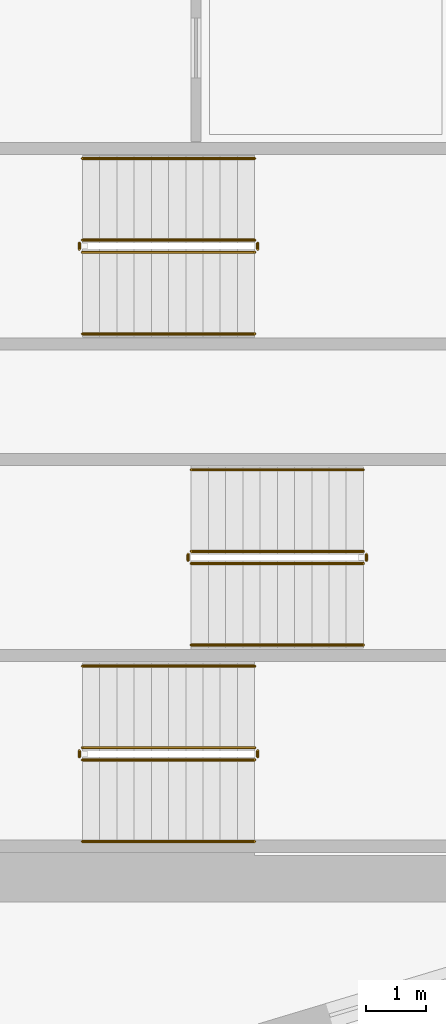
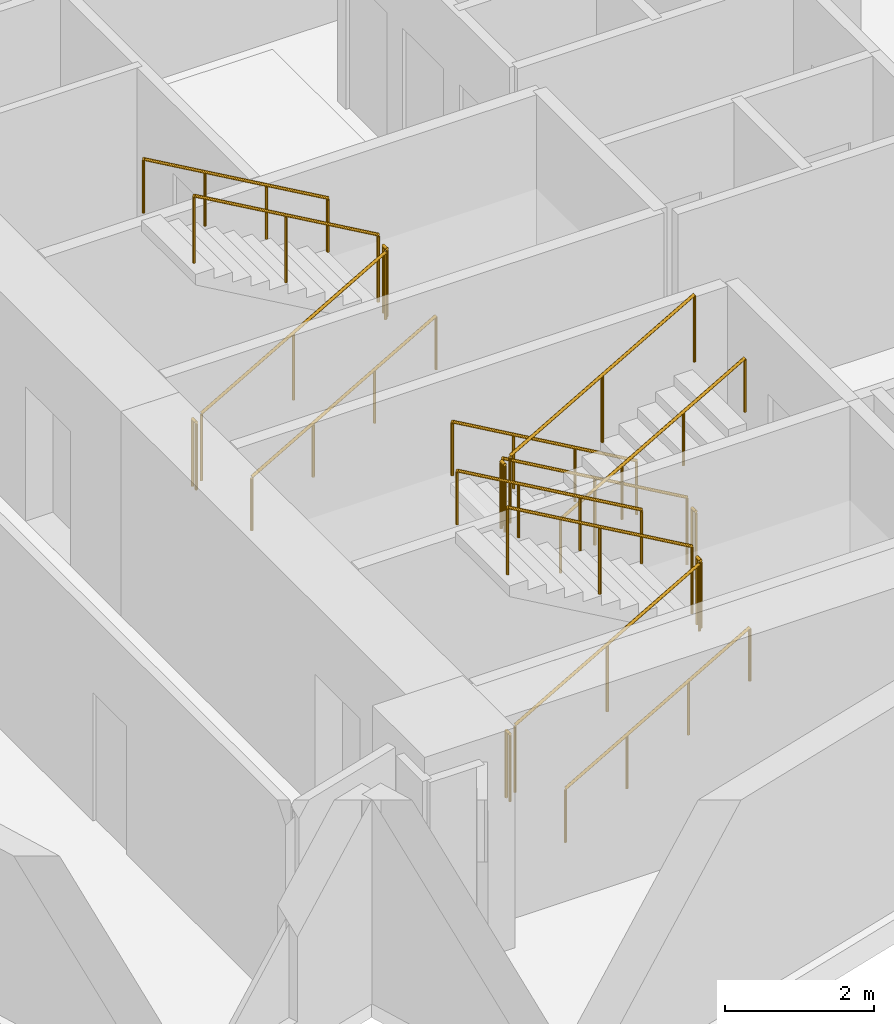
# One storey, part 15 of 16: 18 railings.
"""IFC4 building model written with IfcOpenShell, lengths in metres."""

import ifcopenshell
import ifcopenshell.guid

model = None  # the IFC model being written
_history = None  # IfcOwnerHistory: only IFC2X3 demands one
_inside = {}  # id of a spatial element -> (the spatial element, [elements in it])
_under = {}  # id of a project, library or spatial element -> (it, [spatial elements below it])
_declared = {}  # id of a project -> (the project, [libraries it declares])
_typed = {}  # id of a type object -> (the type object, [elements of that type])
_made_of = {}  # id of a material, layer set ... -> (it, [elements and type objects made of it])


def new_model(schema):
    """Start an empty IFC model of exactly this schema.

    Asked for "IFC4X3", IfcOpenShell would pick the latest addendum, in which some entities
    have other attributes; the version numbers below select the first issue.
    IFC2X3 requires an IfcOwnerHistory on every rooted entity: one is made here for all.
    """
    global model, _history
    if schema == "IFC4X3":
        model = ifcopenshell.file(schema_version=(4, 3, 0, 0))
    else:
        model = ifcopenshell.file(schema=schema)
    _inside.clear()
    _under.clear()
    _declared.clear()
    _typed.clear()
    _made_of.clear()
    _history = None
    if model.schema == "IFC2X3":
        org = make("IfcOrganization", Name="unknown")
        user = make(
            "IfcPersonAndOrganization",
            ThePerson=make("IfcPerson", FamilyName="unknown"),
            TheOrganization=org,
        )
        app = make(
            "IfcApplication",
            ApplicationDeveloper=org,
            Version="unknown",
            ApplicationFullName="unknown",
            ApplicationIdentifier="unknown",
        )
        _history = make(
            "IfcOwnerHistory",
            OwningUser=user,
            OwningApplication=app,
            ChangeAction="ADDED",
            CreationDate=0,
        )
    return model


def make(cls, **values):
    """One entity of the class cls with the attributes given. An attribute that is None is left unset."""
    return model.create_entity(
        cls, **{name: value for name, value in values.items() if value is not None}
    )


def rooted(cls, **values):
    """An entity with a GlobalId (a new one), such as an element, a storey or a relation."""
    return make(cls, GlobalId=ifcopenshell.guid.new(), OwnerHistory=_history, **values)


def si_unit(unit_type, name, prefix=None):
    """IfcSIUnit, for example si_unit("LENGTHUNIT", "METRE", prefix="MILLI")."""
    return make("IfcSIUnit", UnitType=unit_type, Prefix=prefix, Name=name)


def assignment(units):
    """IfcUnitAssignment: the units of a project."""
    return None if units is None else make("IfcUnitAssignment", Units=units)


def point(xyz):
    """IfcCartesianPoint."""
    return None if xyz is None else make("IfcCartesianPoint", Coordinates=xyz)


def direction(xyz):
    """IfcDirection."""
    return None if xyz is None else make("IfcDirection", DirectionRatios=xyz)


def frame(location, z_axis=None, x_axis=None):
    """IfcAxis2Placement3D, a coordinate frame: its origin and axes. An axis left out is left unset."""
    return make(
        "IfcAxis2Placement3D",
        Location=point(location),
        Axis=direction(z_axis),
        RefDirection=direction(x_axis),
    )


def frame_2d(location, x_axis=None):
    """IfcAxis2Placement2D, a coordinate frame in the plane: its origin and x axis."""
    return make(
        "IfcAxis2Placement2D", Location=point(location), RefDirection=direction(x_axis)
    )


def origin():
    """The frame at (0, 0, 0) with its axes left unset."""
    return frame((0.0, 0.0, 0.0))


def origin_2d():
    """The frame at (0, 0) in the plane with its x axis left unset."""
    return frame_2d((0.0, 0.0))


def place(relative_to, where):
    """IfcLocalPlacement: puts the frame where relative to a parent placement (None: the world)."""
    return make(
        "IfcLocalPlacement", PlacementRelTo=relative_to, RelativePlacement=where
    )


def context(
    kind, dimensions, precision=None, world=None, true_north=None, identifier=None
):
    """IfcGeometricRepresentationContext, for example the 3D "Model" context."""
    return make(
        "IfcGeometricRepresentationContext",
        ContextIdentifier=identifier,
        ContextType=kind,
        CoordinateSpaceDimension=dimensions,
        Precision=precision,
        WorldCoordinateSystem=world,
        TrueNorth=true_north,
    )


def subcontext(parent, identifier, kind, view, scale=None):
    """IfcGeometricRepresentationSubContext, for example "Body" below "Model"."""
    return make(
        "IfcGeometricRepresentationSubContext",
        ContextIdentifier=identifier,
        ContextType=kind,
        ParentContext=parent,
        TargetScale=scale,
        TargetView=view,
    )


def project(units=None, contexts=None):
    """IfcProject with its units and contexts."""
    return rooted(
        "IfcProject",
        Name="project",
        RepresentationContexts=contexts,
        UnitsInContext=assignment(units),
    )


def spatial(cls, under=None, at=None, **own):
    """A site, building, storey or space (cls), placed at a placement, below another one or the project."""
    s = rooted(cls, ObjectPlacement=at, **own)
    if under is not None:
        _under.setdefault(under.id(), (under, []))[1].append(s)
    return s


def profile(cls, at=None, kind="AREA", **sizes):
    """A parametric profile (cls). Its sizes go by their IFC names, for example OverallWidth=200.0."""
    return make(cls, ProfileType=kind, Position=at, **sizes)


def circle(**sizes):
    """IfcCircleProfileDef."""
    return profile("IfcCircleProfileDef", **sizes)


def extrude(swept, where, along, depth):
    """IfcExtrudedAreaSolid: the profile swept, set in the frame where, extruded along a direction by depth."""
    return make(
        "IfcExtrudedAreaSolid",
        SweptArea=swept,
        Position=where,
        ExtrudedDirection=direction(along),
        Depth=depth,
    )


def shape(context_of_items, identifier, shape_type, items):
    """IfcShapeRepresentation: the items that make up one representation, for example the "Body"."""
    return make(
        "IfcShapeRepresentation",
        ContextOfItems=context_of_items,
        RepresentationIdentifier=identifier,
        RepresentationType=shape_type,
        Items=items,
    )


def material(Name=None, Category=None):
    """IfcMaterial."""
    return make("IfcMaterial", Name=Name, Category=Category)


def made_of(thing, what):
    """Note that an element or type object is made of a material, layer set ...; save() writes the relation."""
    if what is not None:
        _made_of.setdefault(what.id(), (what, []))[1].append(thing)
    return thing


def type_object(cls, material=None, **own):
    """A type object (cls), such as IfcWallType, which elements share."""
    return made_of(rooted(cls, **own), material)


def element(
    cls,
    number,
    at=None,
    inside=None,
    cuts=None,
    type_object=None,
    material=None,
    context=None,
    identifier="Body",
    shape_type=None,
    held_by="IfcProductDefinitionShape",
    body=None,
    shapes=None,
    **own,
):
    """One element of the class cls, such as IfcWall. Its Tag is "e" and its number.

    at: its placement. inside: the storey or other place that contains it. cuts: it is an
    opening in that element (IfcRelVoidsElement). A single representation is given by context,
    identifier, shape_type and body (its items); several are given by shapes. held_by: the class
    of the entity that holds the representations. save() writes the other relations.
    """
    e = rooted(cls, Tag="e%d" % number, ObjectPlacement=at, **own)
    if body is not None:
        shapes = [shape(context, identifier, shape_type, body)]
    if shapes is not None:
        e.Representation = make(held_by, Representations=shapes)
    if inside is not None:
        _inside.setdefault(inside.id(), (inside, []))[1].append(e)
    if cuts is not None:
        rooted(
            "IfcRelVoidsElement", RelatingBuildingElement=cuts, RelatedOpeningElement=e
        )
    if type_object is not None:
        _typed.setdefault(type_object.id(), (type_object, []))[1].append(e)
    return made_of(e, material)


def aggregate(whole, parts):
    """IfcRelAggregates: a whole, such as a stair, and the parts it consists of."""
    return rooted("IfcRelAggregates", RelatingObject=whole, RelatedObjects=parts)


def save(model, path):
    """Write the relations noted so far, then the file.

    IfcRelAggregates (storeys below a building ...), IfcRelContainedInSpatialStructure (elements
    in a storey), IfcRelDefinesByType, IfcRelAssociatesMaterial and IfcRelDeclares: one each for
    every whole, place, type object, material and project.
    """
    for whole, parts in _under.values():
        aggregate(whole, parts)
    for where, things in _inside.values():
        rooted(
            "IfcRelContainedInSpatialStructure",
            RelatedElements=things,
            RelatingStructure=where,
        )
    for kind, things in _typed.values():
        rooted("IfcRelDefinesByType", RelatedObjects=things, RelatingType=kind)
    for what, things in _made_of.values():
        rooted("IfcRelAssociatesMaterial", RelatedObjects=things, RelatingMaterial=what)
    for by, libraries in _declared.values():
        rooted("IfcRelDeclares", RelatingContext=by, RelatedDefinitions=libraries)
    model.write(path)


model = new_model("IFC4")

# Units and contexts
model_context = context("Model", 3, precision=1e-05, world=origin(), true_north=direction((0.0, 1.0)))
body_context = subcontext(model_context, "Body", "Model", "MODEL_VIEW")
ifc_project = project(units=[si_unit("LENGTHUNIT", "METRE"), si_unit("AREAUNIT", "SQUARE_METRE"), si_unit("VOLUMEUNIT", "CUBIC_METRE"), si_unit("PLANEANGLEUNIT", "RADIAN"), si_unit("MASSUNIT", "GRAM", prefix="KILO")], contexts=[model_context])

# Site, building, storey
site_placement = place(None, origin())
site = spatial("IfcSite", under=ifc_project, at=site_placement, CompositionType="ELEMENT")
building_placement = place(site_placement, origin())
building = spatial("IfcBuilding", under=site, at=building_placement, Name="Narakoshi Arena Tower", CompositionType="ELEMENT")
storey_placement = place(building_placement, frame((0.0, 0.0, 132.300048828125)))
storey = spatial("IfcBuildingStorey", under=building, at=storey_placement, Name="L35", CompositionType="ELEMENT", Elevation=132.300048828125)

# Railings
ifc_material_1 = material(Name="Clear low-iron laminated structural glass", Category="glass")
railing_type_1 = type_object("IfcRailingType", Name="RL-BAL-1100", PredefinedType="BALUSTRADE", material=ifc_material_1)
railing_1_placement = place(storey_placement, frame((74.39990234375, 36.949951171875, 0.16357421875)))
element("IfcRailing", 1, at=railing_1_placement, inside=storey, type_object=railing_type_1, Name="L35 ST1 stair guard 1", PredefinedType="BALUSTRADE", context=body_context, shape_type="SweptSolid", body=[
    extrude(circle(Radius=0.02392578125, at=origin_2d()), frame((0.0, 0.0, 1.09619140625), z_axis=(0.86721270334, 0.0, 0.497937874806), x_axis=(0.0, 1.0, 0.0)), (0.0, 0.0, 1.0), 3.28662109375),
    extrude(circle(Radius=0.02099609375, at=origin_2d()), origin(), (0.0, 0.0, 1.0), 1.072021484375),
    extrude(circle(Radius=0.02099609375, at=origin_2d()), frame((1.425048828125, 0.0, 0.818359375)), (0.0, 0.0, 1.0), 1.072021484375),
    extrude(circle(Radius=0.02099609375, at=origin_2d()), frame((2.85009765625, 0.0, 1.636474609375)), (0.0, 0.0, 1.0), 1.072021484375),
])
railing_2_placement = place(storey_placement, frame((77.300048828125, 37.0, 1.800048828125)))
element("IfcRailing", 2, at=railing_2_placement, inside=storey, type_object=railing_type_1, Name="L35 ST1 stair guard 2", PredefinedType="BALUSTRADE", context=body_context, shape_type="SweptSolid", body=[
    extrude(circle(Radius=0.02392578125, at=origin_2d()), frame((0.0, 0.0, 1.09619140625), z_axis=(0.0, 1.0, 0.0), x_axis=(-1.0, 0.0, 0.0)), (0.0, 0.0, 1.0), 0.10009765625),
    extrude(circle(Radius=0.02099609375, at=origin_2d()), origin(), (0.0, 0.0, 1.0), 1.072021484375),
    extrude(circle(Radius=0.02099609375, at=origin_2d()), frame((0.0, 0.10009765625, 0.0)), (0.0, 0.0, 1.0), 1.072021484375),
])
railing_3_placement = place(storey_placement, frame((77.25, 37.14990234375, 1.963623046875)))
element("IfcRailing", 3, at=railing_3_placement, inside=storey, type_object=railing_type_1, Name="L35 ST1 stair guard 3", PredefinedType="BALUSTRADE", context=body_context, shape_type="SweptSolid", body=[
    extrude(circle(Radius=0.02392578125, at=origin_2d()), frame((0.0, 0.0, 1.09619140625), z_axis=(-0.867244780686, 0.0, 0.497882004468), x_axis=(0.0, -1.0, 0.0)), (0.0, 0.0, 1.0), 3.286376953125),
    extrude(circle(Radius=0.02099609375, at=origin_2d()), origin(), (0.0, 0.0, 1.0), 1.072021484375),
    extrude(circle(Radius=0.02099609375, at=origin_2d()), frame((-1.425048828125, 0.0, 0.818115234375)), (0.0, 0.0, 1.0), 1.072021484375),
    extrude(circle(Radius=0.02099609375, at=origin_2d()), frame((-2.85009765625, 0.0, 1.63623046875)), (0.0, 0.0, 1.0), 1.072021484375),
])
railing_4_placement = place(storey_placement, frame((74.35009765625, 37.0, 0.0)))
element("IfcRailing", 4, at=railing_4_placement, inside=storey, type_object=railing_type_1, Name="L35 ST1 stair guard 4", PredefinedType="BALUSTRADE", context=body_context, shape_type="SweptSolid", body=[
    extrude(circle(Radius=0.02392578125, at=origin_2d()), frame((0.0, 0.0, 1.09619140625), z_axis=(0.0, 1.0, 0.0), x_axis=(-1.0, 0.0, 0.0)), (0.0, 0.0, 1.0), 0.10009765625),
    extrude(circle(Radius=0.02099609375, at=origin_2d()), origin(), (0.0, 0.0, 1.0), 1.072021484375),
    extrude(circle(Radius=0.02099609375, at=origin_2d()), frame((0.0, 0.10009765625, 0.0)), (0.0, 0.0, 1.0), 1.072021484375),
])
railing_5_placement = place(storey_placement, frame((79.050048828125, 40.39990234375, 0.16357421875)))
element("IfcRailing", 5, at=railing_5_placement, inside=storey, type_object=railing_type_1, Name="L35 ST2 stair guard 1", PredefinedType="BALUSTRADE", context=body_context, shape_type="SweptSolid", body=[
    extrude(circle(Radius=0.02392578125, at=origin_2d()), frame((0.0, 0.0, 1.09619140625), z_axis=(-0.86721270334, 0.0, 0.497937874806), x_axis=(0.0, -1.0, 0.0)), (0.0, 0.0, 1.0), 3.28662109375),
    extrude(circle(Radius=0.02099609375, at=origin_2d()), origin(), (0.0, 0.0, 1.0), 1.072021484375),
    extrude(circle(Radius=0.02099609375, at=origin_2d()), frame((-1.425048828125, 0.0, 0.818359375)), (0.0, 0.0, 1.0), 1.072021484375),
    extrude(circle(Radius=0.02099609375, at=origin_2d()), frame((-2.85009765625, 0.0, 1.636474609375)), (0.0, 0.0, 1.0), 1.072021484375),
])
railing_6_placement = place(storey_placement, frame((76.14990234375, 40.35009765625, 1.800048828125)))
element("IfcRailing", 6, at=railing_6_placement, inside=storey, type_object=railing_type_1, Name="L35 ST2 stair guard 2", PredefinedType="BALUSTRADE", context=body_context, shape_type="SweptSolid", body=[
    extrude(circle(Radius=0.02392578125, at=origin_2d()), frame((0.0, 0.0, 1.09619140625), z_axis=(0.0, -1.0, 0.0), x_axis=(1.0, 0.0, 0.0)), (0.0, 0.0, 1.0), 0.10009765625),
    extrude(circle(Radius=0.02099609375, at=origin_2d()), origin(), (0.0, 0.0, 1.0), 1.072021484375),
    extrude(circle(Radius=0.02099609375, at=origin_2d()), frame((0.0, -0.10009765625, 0.0)), (0.0, 0.0, 1.0), 1.072021484375),
])
railing_7_placement = place(storey_placement, frame((76.199951171875, 40.199951171875, 1.963623046875)))
element("IfcRailing", 7, at=railing_7_placement, inside=storey, type_object=railing_type_1, Name="L35 ST2 stair guard 3", PredefinedType="BALUSTRADE", context=body_context, shape_type="SweptSolid", body=[
    extrude(circle(Radius=0.02392578125, at=origin_2d()), frame((0.0, 0.0, 1.09619140625), z_axis=(0.867244780686, 0.0, 0.497882004468), x_axis=(0.0, 1.0, 0.0)), (0.0, 0.0, 1.0), 3.286376953125),
    extrude(circle(Radius=0.02099609375, at=origin_2d()), origin(), (0.0, 0.0, 1.0), 1.072021484375),
    extrude(circle(Radius=0.02099609375, at=origin_2d()), frame((1.425048828125, 0.0, 0.818115234375)), (0.0, 0.0, 1.0), 1.072021484375),
    extrude(circle(Radius=0.02099609375, at=origin_2d()), frame((2.85009765625, 0.0, 1.63623046875)), (0.0, 0.0, 1.0), 1.072021484375),
])
railing_8_placement = place(storey_placement, frame((79.10009765625, 40.35009765625, 0.0)))
element("IfcRailing", 8, at=railing_8_placement, inside=storey, type_object=railing_type_1, Name="L35 ST2 stair guard 4", PredefinedType="BALUSTRADE", context=body_context, shape_type="SweptSolid", body=[
    extrude(circle(Radius=0.02392578125, at=origin_2d()), frame((0.0, 0.0, 1.09619140625), z_axis=(0.0, -1.0, 0.0), x_axis=(1.0, 0.0, 0.0)), (0.0, 0.0, 1.0), 0.10009765625),
    extrude(circle(Radius=0.02099609375, at=origin_2d()), origin(), (0.0, 0.0, 1.0), 1.072021484375),
    extrude(circle(Radius=0.02099609375, at=origin_2d()), frame((0.0, -0.10009765625, 0.0)), (0.0, 0.0, 1.0), 1.072021484375),
])
railing_9_placement = place(storey_placement, frame((74.39990234375, 45.35009765625, 0.16357421875)))
element("IfcRailing", 9, at=railing_9_placement, inside=storey, type_object=railing_type_1, Name="L35 ST3 stair guard 1", PredefinedType="BALUSTRADE", context=body_context, shape_type="SweptSolid", body=[
    extrude(circle(Radius=0.02392578125, at=origin_2d()), frame((0.0, 0.0, 1.09619140625), z_axis=(0.86721270334, 0.0, 0.497937874806), x_axis=(0.0, 1.0, 0.0)), (0.0, 0.0, 1.0), 3.28662109375),
    extrude(circle(Radius=0.02099609375, at=origin_2d()), origin(), (0.0, 0.0, 1.0), 1.072021484375),
    extrude(circle(Radius=0.02099609375, at=origin_2d()), frame((1.425048828125, 0.0, 0.818359375)), (0.0, 0.0, 1.0), 1.072021484375),
    extrude(circle(Radius=0.02099609375, at=origin_2d()), frame((2.85009765625, 0.0, 1.636474609375)), (0.0, 0.0, 1.0), 1.072021484375),
])
railing_10_placement = place(storey_placement, frame((77.300048828125, 45.39990234375, 1.800048828125)))
element("IfcRailing", 10, at=railing_10_placement, inside=storey, type_object=railing_type_1, Name="L35 ST3 stair guard 2", PredefinedType="BALUSTRADE", context=body_context, shape_type="SweptSolid", body=[
    extrude(circle(Radius=0.02392578125, at=origin_2d()), frame((0.0, 0.0, 1.09619140625), z_axis=(0.0, 1.0, 0.0), x_axis=(-1.0, 0.0, 0.0)), (0.0, 0.0, 1.0), 0.10009765625),
    extrude(circle(Radius=0.02099609375, at=origin_2d()), origin(), (0.0, 0.0, 1.0), 1.072021484375),
    extrude(circle(Radius=0.02099609375, at=origin_2d()), frame((0.0, 0.10009765625, 0.0)), (0.0, 0.0, 1.0), 1.072021484375),
])
railing_11_placement = place(storey_placement, frame((77.25, 45.550048828125, 1.963623046875)))
element("IfcRailing", 11, at=railing_11_placement, inside=storey, type_object=railing_type_1, Name="L35 ST3 stair guard 3", PredefinedType="BALUSTRADE", context=body_context, shape_type="SweptSolid", body=[
    extrude(circle(Radius=0.02392578125, at=origin_2d()), frame((0.0, 0.0, 1.09619140625), z_axis=(-0.867244780686, 0.0, 0.497882004468), x_axis=(0.0, -1.0, 0.0)), (0.0, 0.0, 1.0), 3.286376953125),
    extrude(circle(Radius=0.02099609375, at=origin_2d()), origin(), (0.0, 0.0, 1.0), 1.072021484375),
    extrude(circle(Radius=0.02099609375, at=origin_2d()), frame((-1.425048828125, 0.0, 0.818115234375)), (0.0, 0.0, 1.0), 1.072021484375),
    extrude(circle(Radius=0.02099609375, at=origin_2d()), frame((-2.85009765625, 0.0, 1.63623046875)), (0.0, 0.0, 1.0), 1.072021484375),
])
railing_12_placement = place(storey_placement, frame((74.35009765625, 45.39990234375, 0.0)))
element("IfcRailing", 12, at=railing_12_placement, inside=storey, type_object=railing_type_1, Name="L35 ST3 stair guard 4", PredefinedType="BALUSTRADE", context=body_context, shape_type="SweptSolid", body=[
    extrude(circle(Radius=0.02392578125, at=origin_2d()), frame((0.0, 0.0, 1.09619140625), z_axis=(0.0, 1.0, 0.0), x_axis=(-1.0, 0.0, 0.0)), (0.0, 0.0, 1.0), 0.10009765625),
    extrude(circle(Radius=0.02099609375, at=origin_2d()), origin(), (0.0, 0.0, 1.0), 1.072021484375),
    extrude(circle(Radius=0.02099609375, at=origin_2d()), frame((0.0, 0.10009765625, 0.0)), (0.0, 0.0, 1.0), 1.072021484375),
])
ifc_material_2 = material(Name="Brushed bronze stainless steel", Category="steel")
railing_type_2 = type_object("IfcRailingType", Name="RL-HND-900", PredefinedType="HANDRAIL", material=ifc_material_2)
railing_13_placement = place(storey_placement, frame((74.39990234375, 35.60009765625, 0.16357421875)))
element("IfcRailing", 13, at=railing_13_placement, inside=storey, type_object=railing_type_2, Name="L35 ST1 stair handrail 1", PredefinedType="HANDRAIL", context=body_context, shape_type="SweptSolid", body=[
    extrude(circle(Radius=0.02392578125, at=origin_2d()), frame((0.0, 0.0, 0.8759765625), z_axis=(0.86721270334, 0.0, 0.497937874806), x_axis=(0.0, 1.0, 0.0)), (0.0, 0.0, 1.0), 3.28662109375),
    extrude(circle(Radius=0.02099609375, at=origin_2d()), origin(), (0.0, 0.0, 1.0), 0.851806640625),
    extrude(circle(Radius=0.02099609375, at=origin_2d()), frame((0.949951171875, 0.0, 0.54541015625)), (0.0, 0.0, 1.0), 0.851806640625),
    extrude(circle(Radius=0.02099609375, at=origin_2d()), frame((1.900146484375, 0.0, 1.091064453125)), (0.0, 0.0, 1.0), 0.851806640625),
    extrude(circle(Radius=0.02099609375, at=origin_2d()), frame((2.85009765625, 0.0, 1.636474609375)), (0.0, 0.0, 1.0), 0.851806640625),
])
railing_14_placement = place(storey_placement, frame((77.25, 38.5, 1.963623046875)))
element("IfcRailing", 14, at=railing_14_placement, inside=storey, type_object=railing_type_2, Name="L35 ST1 stair handrail 2", PredefinedType="HANDRAIL", context=body_context, shape_type="SweptSolid", body=[
    extrude(circle(Radius=0.02392578125, at=origin_2d()), frame((0.0, 0.0, 0.8759765625), z_axis=(-0.867244780686, 0.0, 0.497882004468), x_axis=(0.0, -1.0, 0.0)), (0.0, 0.0, 1.0), 3.286376953125),
    extrude(circle(Radius=0.02099609375, at=origin_2d()), origin(), (0.0, 0.0, 1.0), 0.851806640625),
    extrude(circle(Radius=0.02099609375, at=origin_2d()), frame((-0.949951171875, 0.0, 0.54541015625)), (0.0, 0.0, 1.0), 0.851806640625),
    extrude(circle(Radius=0.02099609375, at=origin_2d()), frame((-1.900146484375, 0.0, 1.0908203125)), (0.0, 0.0, 1.0), 0.851806640625),
    extrude(circle(Radius=0.02099609375, at=origin_2d()), frame((-2.85009765625, 0.0, 1.63623046875)), (0.0, 0.0, 1.0), 0.851806640625),
])
railing_15_placement = place(storey_placement, frame((79.050048828125, 41.75, 0.16357421875)))
element("IfcRailing", 15, at=railing_15_placement, inside=storey, type_object=railing_type_2, Name="L35 ST2 stair handrail 1", PredefinedType="HANDRAIL", context=body_context, shape_type="SweptSolid", body=[
    extrude(circle(Radius=0.02392578125, at=origin_2d()), frame((0.0, 0.0, 0.8759765625), z_axis=(-0.86721270334, 0.0, 0.497937874806), x_axis=(0.0, -1.0, 0.0)), (0.0, 0.0, 1.0), 3.28662109375),
    extrude(circle(Radius=0.02099609375, at=origin_2d()), origin(), (0.0, 0.0, 1.0), 0.851806640625),
    extrude(circle(Radius=0.02099609375, at=origin_2d()), frame((-0.949951171875, 0.0, 0.54541015625)), (0.0, 0.0, 1.0), 0.851806640625),
    extrude(circle(Radius=0.02099609375, at=origin_2d()), frame((-1.900146484375, 0.0, 1.091064453125)), (0.0, 0.0, 1.0), 0.851806640625),
    extrude(circle(Radius=0.02099609375, at=origin_2d()), frame((-2.85009765625, 0.0, 1.636474609375)), (0.0, 0.0, 1.0), 0.851806640625),
])
railing_16_placement = place(storey_placement, frame((76.199951171875, 38.85009765625, 1.963623046875)))
element("IfcRailing", 16, at=railing_16_placement, inside=storey, type_object=railing_type_2, Name="L35 ST2 stair handrail 2", PredefinedType="HANDRAIL", context=body_context, shape_type="SweptSolid", body=[
    extrude(circle(Radius=0.02392578125, at=origin_2d()), frame((0.0, 0.0, 0.8759765625), z_axis=(0.867244780686, 0.0, 0.497882004468), x_axis=(0.0, 1.0, 0.0)), (0.0, 0.0, 1.0), 3.286376953125),
    extrude(circle(Radius=0.02099609375, at=origin_2d()), origin(), (0.0, 0.0, 1.0), 0.851806640625),
    extrude(circle(Radius=0.02099609375, at=origin_2d()), frame((0.949951171875, 0.0, 0.54541015625)), (0.0, 0.0, 1.0), 0.851806640625),
    extrude(circle(Radius=0.02099609375, at=origin_2d()), frame((1.900146484375, 0.0, 1.0908203125)), (0.0, 0.0, 1.0), 0.851806640625),
    extrude(circle(Radius=0.02099609375, at=origin_2d()), frame((2.85009765625, 0.0, 1.63623046875)), (0.0, 0.0, 1.0), 0.851806640625),
])
railing_17_placement = place(storey_placement, frame((74.39990234375, 44.0, 0.16357421875)))
element("IfcRailing", 17, at=railing_17_placement, inside=storey, type_object=railing_type_2, Name="L35 ST3 stair handrail 1", PredefinedType="HANDRAIL", context=body_context, shape_type="SweptSolid", body=[
    extrude(circle(Radius=0.02392578125, at=origin_2d()), frame((0.0, 0.0, 0.8759765625), z_axis=(0.86721270334, 0.0, 0.497937874806), x_axis=(0.0, 1.0, 0.0)), (0.0, 0.0, 1.0), 3.28662109375),
    extrude(circle(Radius=0.02099609375, at=origin_2d()), origin(), (0.0, 0.0, 1.0), 0.851806640625),
    extrude(circle(Radius=0.02099609375, at=origin_2d()), frame((0.949951171875, 0.0, 0.54541015625)), (0.0, 0.0, 1.0), 0.851806640625),
    extrude(circle(Radius=0.02099609375, at=origin_2d()), frame((1.900146484375, 0.0, 1.091064453125)), (0.0, 0.0, 1.0), 0.851806640625),
    extrude(circle(Radius=0.02099609375, at=origin_2d()), frame((2.85009765625, 0.0, 1.636474609375)), (0.0, 0.0, 1.0), 0.851806640625),
])
railing_18_placement = place(storey_placement, frame((77.25, 46.89990234375, 1.963623046875)))
element("IfcRailing", 18, at=railing_18_placement, inside=storey, type_object=railing_type_2, Name="L35 ST3 stair handrail 2", PredefinedType="HANDRAIL", context=body_context, shape_type="SweptSolid", body=[
    extrude(circle(Radius=0.02392578125, at=origin_2d()), frame((0.0, 0.0, 0.8759765625), z_axis=(-0.867244780686, 0.0, 0.497882004468), x_axis=(0.0, -1.0, 0.0)), (0.0, 0.0, 1.0), 3.286376953125),
    extrude(circle(Radius=0.02099609375, at=origin_2d()), origin(), (0.0, 0.0, 1.0), 0.851806640625),
    extrude(circle(Radius=0.02099609375, at=origin_2d()), frame((-0.949951171875, 0.0, 0.54541015625)), (0.0, 0.0, 1.0), 0.851806640625),
    extrude(circle(Radius=0.02099609375, at=origin_2d()), frame((-1.900146484375, 0.0, 1.0908203125)), (0.0, 0.0, 1.0), 0.851806640625),
    extrude(circle(Radius=0.02099609375, at=origin_2d()), frame((-2.85009765625, 0.0, 1.63623046875)), (0.0, 0.0, 1.0), 0.851806640625),
])

save(model, "model.ifc")
